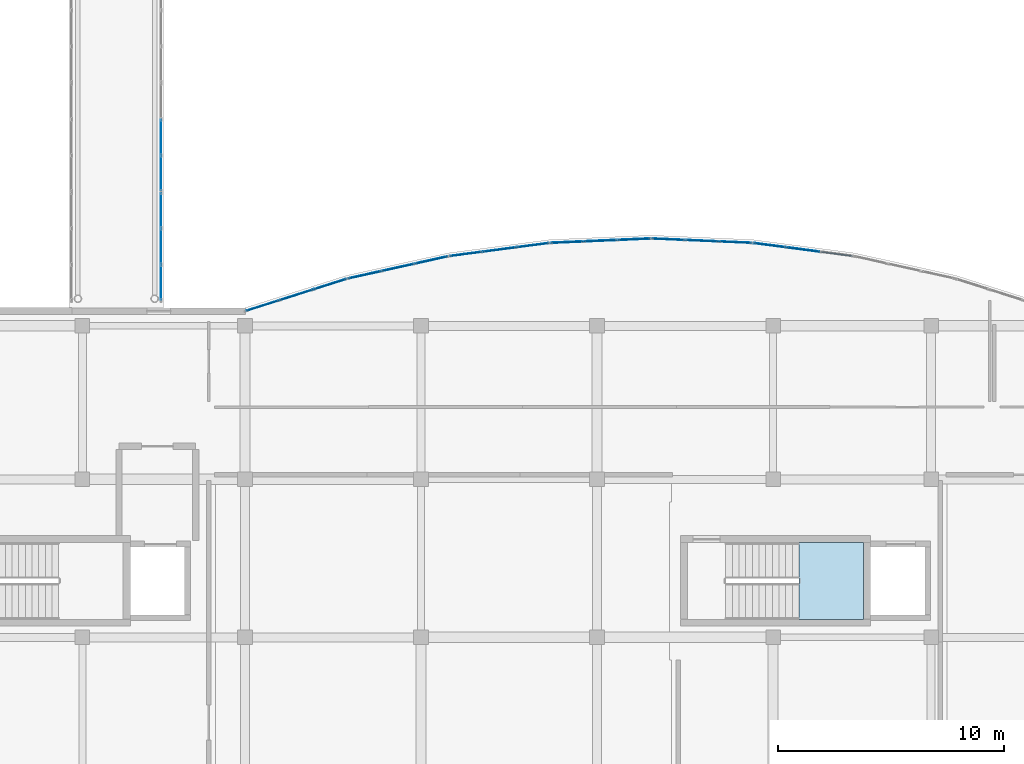
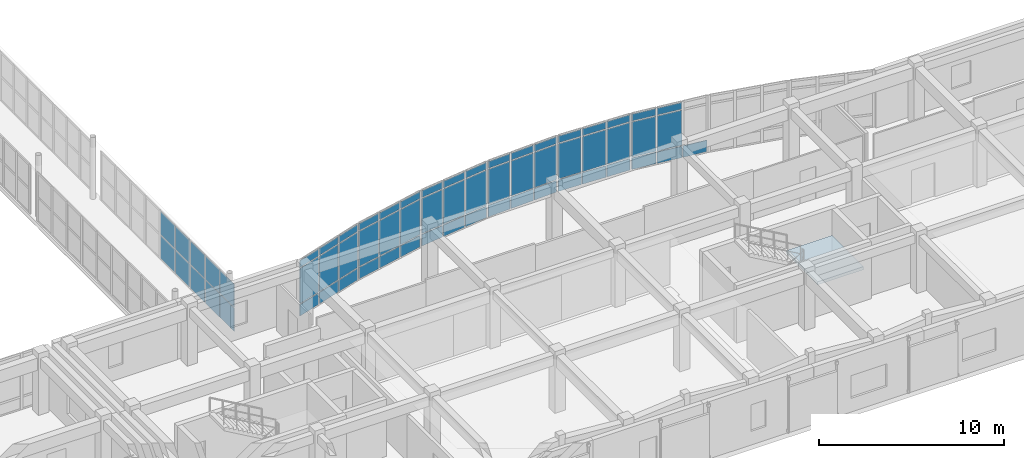
# One storey, part 114 of 146: 62 plates, 1 slab, 9 elements without a shape of their own.
"""IFC4 building model written with IfcOpenShell, lengths in metres."""

from ifc_helpers import new_model, si_unit, direction, frame, origin, origin_2d, place, context, subcontext, project, spatial, polyline, rectangle, outline, extrude, material, layer, layer_set, type_object, element, aggregate, save


model = new_model("IFC4")

# Units and contexts
model_context = context("Model", 3, precision=1e-05, world=origin(), true_north=direction((0.0, 1.0)))
body_context = subcontext(model_context, "Body", "Model", "MODEL_VIEW")
ifc_project = project(units=[si_unit("LENGTHUNIT", "METRE"), si_unit("AREAUNIT", "SQUARE_METRE"), si_unit("VOLUMEUNIT", "CUBIC_METRE"), si_unit("PLANEANGLEUNIT", "RADIAN"), si_unit("MASSUNIT", "GRAM", prefix="KILO")], contexts=[model_context])

# Site, building, storey
site_placement = place(None, origin())
site = spatial("IfcSite", under=ifc_project, at=site_placement, CompositionType="ELEMENT")
building_placement = place(site_placement, origin())
building = spatial("IfcBuilding", under=site, at=building_placement, Name="Valcora Specialist Clinic", CompositionType="ELEMENT")
storey_placement = place(building_placement, frame((0.0, 0.0, 9.52001953125)))
storey = spatial("IfcBuildingStorey", under=building, at=storey_placement, Name="L02", CompositionType="ELEMENT", Elevation=9.52001953125)

# Curtain wall, plates
ifc_material_1 = material(Name="Anodized Bronze Aluminium 6063-T6", Category="aluminium")
ifc_layer_1 = layer(ifc_material_1, 0.175048828125)
ifc_layer_set_1 = layer_set([ifc_layer_1], Name="Anodized Bronze Aluminium 6063-T6")
curtain_wall_type_1 = type_object("IfcCurtainWallType", Name="TY-CW-ARC40", PredefinedType="NOTDEFINED", material=ifc_layer_set_1)
curtain_wall_1_placement = place(storey_placement, origin())
curtain_wall_1 = element("IfcCurtainWall", 1, at=curtain_wall_1_placement, inside=storey, type_object=curtain_wall_type_1, Name="Curtain wall CW-L02-202", PredefinedType="NOTDEFINED")
ifc_material_2 = material(Name="Low-E Laminated Insulating Glass", Category="glass")
ifc_layer_2 = layer(ifc_material_2, 0.028076171875)
ifc_layer_set_2 = layer_set([ifc_layer_2], Name="Low-E Laminated Insulating Glass")
plate_type_1 = type_object("IfcPlateType", Name="TY-CWP-GLZ28", PredefinedType="CURTAIN_PANEL", material=ifc_layer_set_2)
plate_1_placement = place(storey_placement, frame((69.79150390625, 22.89453125, 0.882568359375), z_axis=(0.0, 0.0, 1.0), x_axis=(0.952916356972, 0.303233270958, 0.0)))
plate_1 = element("IfcPlate", 2, at=plate_1_placement, type_object=plate_type_1, Name="CW-ARC-40 panel 1.2", PredefinedType="CURTAIN_PANEL", context=body_context, shape_type="SweptSolid", body=[
    extrude(rectangle(XDim=1.482177734375, YDim=0.028076171875, at=origin_2d()), origin(), (0.0, 0.0, 1.0), 2.31494140625),
])
plate_2_placement = place(storey_placement, frame((69.79150390625, 22.89453125, 3.2626953125), z_axis=(0.0, 0.0, 1.0), x_axis=(0.952916356972, 0.303233270958, 0.0)))
plate_2 = element("IfcPlate", 3, at=plate_2_placement, type_object=plate_type_1, Name="CW-ARC-40 panel 1.3", PredefinedType="CURTAIN_PANEL", context=body_context, shape_type="SweptSolid", body=[
    extrude(rectangle(XDim=1.482177734375, YDim=0.028076171875, at=origin_2d()), origin(), (0.0, 0.0, 1.0), 0.452392578125),
])
plate_3_placement = place(storey_placement, frame((71.28125, 23.368408203125, 0.882568359375), z_axis=(0.0, 0.0, 1.0), x_axis=(0.952916356972, 0.303233270958, 0.0)))
plate_3 = element("IfcPlate", 4, at=plate_3_placement, type_object=plate_type_1, Name="CW-ARC-40 panel 2.2", PredefinedType="CURTAIN_PANEL", context=body_context, shape_type="SweptSolid", body=[
    extrude(rectangle(XDim=1.5146484375, YDim=0.028076171875, at=origin_2d()), origin(), (0.0, 0.0, 1.0), 2.31494140625),
])
plate_4_placement = place(storey_placement, frame((71.28125, 23.368408203125, 3.2626953125), z_axis=(0.0, 0.0, 1.0), x_axis=(0.952916356972, 0.303233270958, 0.0)))
plate_4 = element("IfcPlate", 5, at=plate_4_placement, type_object=plate_type_1, Name="CW-ARC-40 panel 2.3", PredefinedType="CURTAIN_PANEL", context=body_context, shape_type="SweptSolid", body=[
    extrude(rectangle(XDim=1.5146484375, YDim=0.028076171875, at=origin_2d()), origin(), (0.0, 0.0, 1.0), 0.452392578125),
])
plate_5_placement = place(storey_placement, frame((72.77099609375, 23.842529296875, 0.882568359375), z_axis=(0.0, 0.0, 1.0), x_axis=(0.952916356972, 0.303233270958, 0.0)))
plate_5 = element("IfcPlate", 6, at=plate_5_placement, type_object=plate_type_1, Name="CW-ARC-40 panel 3.2", PredefinedType="CURTAIN_PANEL", context=body_context, shape_type="SweptSolid", body=[
    extrude(rectangle(XDim=1.482177734375, YDim=0.028076171875, at=origin_2d()), origin(), (0.0, 0.0, 1.0), 2.31494140625),
])
plate_6_placement = place(storey_placement, frame((72.77099609375, 23.842529296875, 3.2626953125), z_axis=(0.0, 0.0, 1.0), x_axis=(0.952916356972, 0.303233270958, 0.0)))
plate_6 = element("IfcPlate", 7, at=plate_6_placement, type_object=plate_type_1, Name="CW-ARC-40 panel 3.3", PredefinedType="CURTAIN_PANEL", context=body_context, shape_type="SweptSolid", body=[
    extrude(rectangle(XDim=1.482177734375, YDim=0.028076171875, at=origin_2d()), origin(), (0.0, 0.0, 1.0), 0.452392578125),
])

curtain_wall_2_placement = place(storey_placement, origin())
curtain_wall_2 = element("IfcCurtainWall", 8, at=curtain_wall_2_placement, inside=storey, type_object=curtain_wall_type_1, Name="Curtain wall CW-L02-204", PredefinedType="NOTDEFINED")
plate_7_placement = place(storey_placement, frame((78.7900390625, 25.182373046875, 0.882568359375), z_axis=(0.0, 0.0, 1.0), x_axis=(0.991514060421, 0.129999492259, 0.0)))
plate_7 = element("IfcPlate", 9, at=plate_7_placement, type_object=plate_type_1, Name="CW-ARC-40 panel 1.2", PredefinedType="CURTAIN_PANEL", context=body_context, shape_type="SweptSolid", body=[
    extrude(rectangle(XDim=1.410888671875, YDim=0.028076171875, at=origin_2d()), origin(), (0.0, 0.0, 1.0), 2.31494140625),
])
plate_8_placement = place(storey_placement, frame((78.7900390625, 25.182373046875, 3.2626953125), z_axis=(0.0, 0.0, 1.0), x_axis=(0.991514060421, 0.129999492259, 0.0)))
plate_8 = element("IfcPlate", 10, at=plate_8_placement, type_object=plate_type_1, Name="CW-ARC-40 panel 1.3", PredefinedType="CURTAIN_PANEL", context=body_context, shape_type="SweptSolid", body=[
    extrude(rectangle(XDim=1.410888671875, YDim=0.028076171875, at=origin_2d()), origin(), (0.0, 0.0, 1.0), 0.452392578125),
])
plate_9_placement = place(storey_placement, frame((80.26953125, 25.376220703125, 0.882568359375), z_axis=(0.0, 0.0, 1.0), x_axis=(0.991514060421, 0.129999492259, 0.0)))
plate_9 = element("IfcPlate", 11, at=plate_9_placement, type_object=plate_type_1, Name="CW-ARC-40 panel 2.2", PredefinedType="CURTAIN_PANEL", context=body_context, shape_type="SweptSolid", body=[
    extrude(rectangle(XDim=1.443359375, YDim=0.028076171875, at=origin_2d()), origin(), (0.0, 0.0, 1.0), 2.31494140625),
])
plate_10_placement = place(storey_placement, frame((80.26953125, 25.376220703125, 3.2626953125), z_axis=(0.0, 0.0, 1.0), x_axis=(0.991514060421, 0.129999492259, 0.0)))
plate_10 = element("IfcPlate", 12, at=plate_10_placement, type_object=plate_type_1, Name="CW-ARC-40 panel 2.3", PredefinedType="CURTAIN_PANEL", context=body_context, shape_type="SweptSolid", body=[
    extrude(rectangle(XDim=1.443359375, YDim=0.028076171875, at=origin_2d()), origin(), (0.0, 0.0, 1.0), 0.452392578125),
])
plate_11_placement = place(storey_placement, frame((81.7490234375, 25.5703125, 0.882568359375), z_axis=(0.0, 0.0, 1.0), x_axis=(0.991514060421, 0.129999492259, 0.0)))
plate_11 = element("IfcPlate", 13, at=plate_11_placement, type_object=plate_type_1, Name="CW-ARC-40 panel 3.2", PredefinedType="CURTAIN_PANEL", context=body_context, shape_type="SweptSolid", body=[
    extrude(rectangle(XDim=1.410888671875, YDim=0.028076171875, at=origin_2d()), origin(), (0.0, 0.0, 1.0), 2.31494140625),
])
plate_12_placement = place(storey_placement, frame((81.7490234375, 25.5703125, 3.2626953125), z_axis=(0.0, 0.0, 1.0), x_axis=(0.991514060421, 0.129999492259, 0.0)))
plate_12 = element("IfcPlate", 14, at=plate_12_placement, type_object=plate_type_1, Name="CW-ARC-40 panel 3.3", PredefinedType="CURTAIN_PANEL", context=body_context, shape_type="SweptSolid", body=[
    extrude(rectangle(XDim=1.410888671875, YDim=0.028076171875, at=origin_2d()), origin(), (0.0, 0.0, 1.0), 0.452392578125),
])

curtain_wall_3_placement = place(storey_placement, origin())
curtain_wall_3 = element("IfcCurtainWall", 15, at=curtain_wall_3_placement, inside=storey, type_object=curtain_wall_type_1, Name="Curtain wall CW-L02-206", PredefinedType="NOTDEFINED")
plate_13_placement = place(storey_placement, frame((87.76416015625, 25.831787109375, 0.882568359375), z_axis=(0.0, 0.0, 1.0), x_axis=(0.999061821291, -0.043306780525, 0.0)))
plate_13 = element("IfcPlate", 16, at=plate_13_placement, type_object=plate_type_1, Name="CW-ARC-40 panel 1.2", PredefinedType="CURTAIN_PANEL", context=body_context, shape_type="SweptSolid", body=[
    extrude(rectangle(XDim=1.399658203125, YDim=0.028076171875, at=origin_2d()), origin(), (0.0, 0.0, 1.0), 2.31494140625),
])
plate_14_placement = place(storey_placement, frame((87.76416015625, 25.831787109375, 3.2626953125), z_axis=(0.0, 0.0, 1.0), x_axis=(0.999061821291, -0.043306780525, 0.0)))
plate_14 = element("IfcPlate", 17, at=plate_14_placement, type_object=plate_type_1, Name="CW-ARC-40 panel 1.3", PredefinedType="CURTAIN_PANEL", context=body_context, shape_type="SweptSolid", body=[
    extrude(rectangle(XDim=1.399658203125, YDim=0.028076171875, at=origin_2d()), origin(), (0.0, 0.0, 1.0), 0.452392578125),
])
plate_15_placement = place(storey_placement, frame((89.243408203125, 25.767578125, 0.882568359375), z_axis=(0.0, 0.0, 1.0), x_axis=(0.999061821291, -0.043306780525, 0.0)))
plate_15 = element("IfcPlate", 18, at=plate_15_placement, type_object=plate_type_1, Name="CW-ARC-40 panel 2.2", PredefinedType="CURTAIN_PANEL", context=body_context, shape_type="SweptSolid", body=[
    extrude(rectangle(XDim=1.43212890625, YDim=0.028076171875, at=origin_2d()), origin(), (0.0, 0.0, 1.0), 2.31494140625),
])
plate_16_placement = place(storey_placement, frame((89.243408203125, 25.767578125, 3.2626953125), z_axis=(0.0, 0.0, 1.0), x_axis=(0.999061821291, -0.043306780525, 0.0)))
plate_16 = element("IfcPlate", 19, at=plate_16_placement, type_object=plate_type_1, Name="CW-ARC-40 panel 2.3", PredefinedType="CURTAIN_PANEL", context=body_context, shape_type="SweptSolid", body=[
    extrude(rectangle(XDim=1.43212890625, YDim=0.028076171875, at=origin_2d()), origin(), (0.0, 0.0, 1.0), 0.452392578125),
])
plate_17_placement = place(storey_placement, frame((90.722900390625, 25.70361328125, 0.882568359375), z_axis=(0.0, 0.0, 1.0), x_axis=(0.999061821291, -0.043306780525, 0.0)))
plate_17 = element("IfcPlate", 20, at=plate_17_placement, type_object=plate_type_1, Name="CW-ARC-40 panel 3.2", PredefinedType="CURTAIN_PANEL", context=body_context, shape_type="SweptSolid", body=[
    extrude(rectangle(XDim=1.399658203125, YDim=0.028076171875, at=origin_2d()), origin(), (0.0, 0.0, 1.0), 2.31494140625),
])
plate_18_placement = place(storey_placement, frame((90.722900390625, 25.70361328125, 3.2626953125), z_axis=(0.0, 0.0, 1.0), x_axis=(0.999061821291, -0.043306780525, 0.0)))
plate_18 = element("IfcPlate", 21, at=plate_18_placement, type_object=plate_type_1, Name="CW-ARC-40 panel 3.3", PredefinedType="CURTAIN_PANEL", context=body_context, shape_type="SweptSolid", body=[
    extrude(rectangle(XDim=1.399658203125, YDim=0.028076171875, at=origin_2d()), origin(), (0.0, 0.0, 1.0), 0.452392578125),
])

ifc_layer_3 = layer(ifc_material_1, 0.175048828125)
ifc_layer_set_3 = layer_set([ifc_layer_3], Name="Anodized Bronze Aluminium 6063-T6")
curtain_wall_type_2 = type_object("IfcCurtainWallType", Name="TY-CW-BRG14", PredefinedType="NOTDEFINED", material=ifc_layer_set_3)
curtain_wall_4_placement = place(storey_placement, origin())
curtain_wall_4 = element("IfcCurtainWall", 22, at=curtain_wall_4_placement, inside=storey, type_object=curtain_wall_type_2, Name="Curtain wall CW-L02-258", PredefinedType="NOTDEFINED")
plate_19_placement = place(storey_placement, frame((65.280029296875, 23.921875, 0.06494140625), z_axis=(0.0, 0.0, 1.0), x_axis=(0.0, 1.0, 0.0)))
plate_19 = element("IfcPlate", 23, at=plate_19_placement, type_object=plate_type_1, Name="CW-BRG-14 panel 1.1", PredefinedType="CURTAIN_PANEL", context=body_context, shape_type="SweptSolid", body=[
    extrude(rectangle(XDim=1.513671875, YDim=0.028076171875, at=origin_2d()), origin(), (0.0, 0.0, 1.0), 1.5224609375),
])
plate_20_placement = place(storey_placement, frame((65.280029296875, 23.921875, 1.652587890625), z_axis=(0.0, 0.0, 1.0), x_axis=(0.0, 1.0, 0.0)))
plate_20 = element("IfcPlate", 24, at=plate_20_placement, type_object=plate_type_1, Name="CW-BRG-14 panel 1.2", PredefinedType="CURTAIN_PANEL", context=body_context, shape_type="SweptSolid", body=[
    extrude(rectangle(XDim=1.513671875, YDim=0.028076171875, at=origin_2d()), origin(), (0.0, 0.0, 1.0), 1.5224609375),
])
plate_21_placement = place(storey_placement, frame((65.280029296875, 25.5166015625, 0.06494140625), z_axis=(0.0, 0.0, 1.0), x_axis=(0.0, 1.0, 0.0)))
plate_21 = element("IfcPlate", 25, at=plate_21_placement, type_object=plate_type_1, Name="CW-BRG-14 panel 2.1", PredefinedType="CURTAIN_PANEL", context=body_context, shape_type="SweptSolid", body=[
    extrude(rectangle(XDim=1.546142578125, YDim=0.028076171875, at=origin_2d()), origin(), (0.0, 0.0, 1.0), 1.5224609375),
])
plate_22_placement = place(storey_placement, frame((65.280029296875, 25.5166015625, 1.652587890625), z_axis=(0.0, 0.0, 1.0), x_axis=(0.0, 1.0, 0.0)))
plate_22 = element("IfcPlate", 26, at=plate_22_placement, type_object=plate_type_1, Name="CW-BRG-14 panel 2.2", PredefinedType="CURTAIN_PANEL", context=body_context, shape_type="SweptSolid", body=[
    extrude(rectangle(XDim=1.546142578125, YDim=0.028076171875, at=origin_2d()), origin(), (0.0, 0.0, 1.0), 1.5224609375),
])
plate_23_placement = place(storey_placement, frame((65.280029296875, 27.111572265625, 0.06494140625), z_axis=(0.0, 0.0, 1.0), x_axis=(0.0, 1.0, 0.0)))
plate_23 = element("IfcPlate", 27, at=plate_23_placement, type_object=plate_type_1, Name="CW-BRG-14 panel 3.1", PredefinedType="CURTAIN_PANEL", context=body_context, shape_type="SweptSolid", body=[
    extrude(rectangle(XDim=1.513671875, YDim=0.028076171875, at=origin_2d()), origin(), (0.0, 0.0, 1.0), 1.5224609375),
])
plate_24_placement = place(storey_placement, frame((65.280029296875, 27.111572265625, 1.652587890625), z_axis=(0.0, 0.0, 1.0), x_axis=(0.0, 1.0, 0.0)))
plate_24 = element("IfcPlate", 28, at=plate_24_placement, type_object=plate_type_1, Name="CW-BRG-14 panel 3.2", PredefinedType="CURTAIN_PANEL", context=body_context, shape_type="SweptSolid", body=[
    extrude(rectangle(XDim=1.513671875, YDim=0.028076171875, at=origin_2d()), origin(), (0.0, 0.0, 1.0), 1.5224609375),
])
aggregate(curtain_wall_4, [plate_19, plate_20, plate_21, plate_22, plate_23, plate_24])

curtain_wall_5_placement = place(storey_placement, origin())
curtain_wall_5 = element("IfcCurtainWall", 29, at=curtain_wall_5_placement, inside=storey, type_object=curtain_wall_type_1, Name="Curtain wall CW-L02-203", PredefinedType="NOTDEFINED")
ifc_layer_4 = layer(ifc_material_2, 0.033935546875)
ifc_layer_set_4 = layer_set([ifc_layer_4], Name="Low-E Laminated Insulating Glass")
plate_type_2 = type_object("IfcPlateType", Name="TY-CWP-GLZ34", PredefinedType="CURTAIN_PANEL", material=ifc_layer_set_4)
plate_25_placement = place(storey_placement, frame((74.302734375, 24.25634765625, 0.882568359375), z_axis=(0.0, 0.0, 1.0), x_axis=(0.976278614432, 0.216518052372, 0.0)))
plate_25 = element("IfcPlate", 30, at=plate_25_placement, type_object=plate_type_2, Name="CW-ARC-40 panel 1.2", PredefinedType="CURTAIN_PANEL", context=body_context, shape_type="SweptSolid", body=[
    extrude(rectangle(XDim=1.4345703125, YDim=0.033935546875, at=origin_2d()), origin(), (0.0, 0.0, 1.0), 2.31494140625),
])
plate_26_placement = place(storey_placement, frame((74.302734375, 24.25634765625, 3.2626953125), z_axis=(0.0, 0.0, 1.0), x_axis=(0.976278614432, 0.216518052372, 0.0)))
plate_26 = element("IfcPlate", 31, at=plate_26_placement, type_object=plate_type_2, Name="CW-ARC-40 panel 1.3", PredefinedType="CURTAIN_PANEL", context=body_context, shape_type="SweptSolid", body=[
    extrude(rectangle(XDim=1.4345703125, YDim=0.033935546875, at=origin_2d()), origin(), (0.0, 0.0, 1.0), 0.452392578125),
])
plate_27_placement = place(storey_placement, frame((75.782470703125, 24.58447265625, 0.882568359375), z_axis=(0.0, 0.0, 1.0), x_axis=(0.976278614432, 0.216518052372, 0.0)))
plate_27 = element("IfcPlate", 32, at=plate_27_placement, type_object=plate_type_2, Name="CW-ARC-40 panel 2.2", PredefinedType="CURTAIN_PANEL", context=body_context, shape_type="SweptSolid", body=[
    extrude(rectangle(XDim=1.467041015625, YDim=0.033935546875, at=origin_2d()), origin(), (0.0, 0.0, 1.0), 2.31494140625),
])
plate_28_placement = place(storey_placement, frame((75.782470703125, 24.58447265625, 3.2626953125), z_axis=(0.0, 0.0, 1.0), x_axis=(0.976278614432, 0.216518052372, 0.0)))
plate_28 = element("IfcPlate", 33, at=plate_28_placement, type_object=plate_type_2, Name="CW-ARC-40 panel 2.3", PredefinedType="CURTAIN_PANEL", context=body_context, shape_type="SweptSolid", body=[
    extrude(rectangle(XDim=1.467041015625, YDim=0.033935546875, at=origin_2d()), origin(), (0.0, 0.0, 1.0), 0.452392578125),
])
plate_29_placement = place(storey_placement, frame((77.26220703125, 24.912841796875, 0.882568359375), z_axis=(0.0, 0.0, 1.0), x_axis=(0.976278614432, 0.216518052372, 0.0)))
plate_29 = element("IfcPlate", 34, at=plate_29_placement, type_object=plate_type_2, Name="CW-ARC-40 panel 3.2", PredefinedType="CURTAIN_PANEL", context=body_context, shape_type="SweptSolid", body=[
    extrude(rectangle(XDim=1.4345703125, YDim=0.033935546875, at=origin_2d()), origin(), (0.0, 0.0, 1.0), 2.31494140625),
])
plate_30_placement = place(storey_placement, frame((77.26220703125, 24.912841796875, 3.2626953125), z_axis=(0.0, 0.0, 1.0), x_axis=(0.976278614432, 0.216518052372, 0.0)))
plate_30 = element("IfcPlate", 35, at=plate_30_placement, type_object=plate_type_2, Name="CW-ARC-40 panel 3.3", PredefinedType="CURTAIN_PANEL", context=body_context, shape_type="SweptSolid", body=[
    extrude(rectangle(XDim=1.4345703125, YDim=0.033935546875, at=origin_2d()), origin(), (0.0, 0.0, 1.0), 0.452392578125),
])

curtain_wall_6_placement = place(storey_placement, origin())
curtain_wall_6 = element("IfcCurtainWall", 36, at=curtain_wall_6_placement, inside=storey, type_object=curtain_wall_type_1, Name="Curtain wall CW-L02-205", PredefinedType="NOTDEFINED")
plate_31_placement = place(storey_placement, frame((83.277099609375, 25.70361328125, 0.882568359375), z_axis=(0.0, 0.0, 1.0), x_axis=(0.999061821291, 0.043306780525, 0.0)))
plate_31 = element("IfcPlate", 37, at=plate_31_placement, type_object=plate_type_2, Name="CW-ARC-40 panel 1.2", PredefinedType="CURTAIN_PANEL", context=body_context, shape_type="SweptSolid", body=[
    extrude(rectangle(XDim=1.399658203125, YDim=0.033935546875, at=origin_2d()), origin(), (0.0, 0.0, 1.0), 2.31494140625),
])
plate_32_placement = place(storey_placement, frame((83.277099609375, 25.70361328125, 3.2626953125), z_axis=(0.0, 0.0, 1.0), x_axis=(0.999061821291, 0.043306780525, 0.0)))
plate_32 = element("IfcPlate", 38, at=plate_32_placement, type_object=plate_type_2, Name="CW-ARC-40 panel 1.3", PredefinedType="CURTAIN_PANEL", context=body_context, shape_type="SweptSolid", body=[
    extrude(rectangle(XDim=1.399658203125, YDim=0.033935546875, at=origin_2d()), origin(), (0.0, 0.0, 1.0), 0.452392578125),
])
plate_33_placement = place(storey_placement, frame((84.756591796875, 25.767578125, 0.882568359375), z_axis=(0.0, 0.0, 1.0), x_axis=(0.999061821291, 0.043306780525, 0.0)))
plate_33 = element("IfcPlate", 39, at=plate_33_placement, type_object=plate_type_2, Name="CW-ARC-40 panel 2.2", PredefinedType="CURTAIN_PANEL", context=body_context, shape_type="SweptSolid", body=[
    extrude(rectangle(XDim=1.43212890625, YDim=0.033935546875, at=origin_2d()), origin(), (0.0, 0.0, 1.0), 2.31494140625),
])
plate_34_placement = place(storey_placement, frame((84.756591796875, 25.767578125, 3.2626953125), z_axis=(0.0, 0.0, 1.0), x_axis=(0.999061821291, 0.043306780525, 0.0)))
plate_34 = element("IfcPlate", 40, at=plate_34_placement, type_object=plate_type_2, Name="CW-ARC-40 panel 2.3", PredefinedType="CURTAIN_PANEL", context=body_context, shape_type="SweptSolid", body=[
    extrude(rectangle(XDim=1.43212890625, YDim=0.033935546875, at=origin_2d()), origin(), (0.0, 0.0, 1.0), 0.452392578125),
])
plate_35_placement = place(storey_placement, frame((86.23583984375, 25.831787109375, 0.882568359375), z_axis=(0.0, 0.0, 1.0), x_axis=(0.999061821291, 0.043306780525, 0.0)))
plate_35 = element("IfcPlate", 41, at=plate_35_placement, type_object=plate_type_2, Name="CW-ARC-40 panel 3.2", PredefinedType="CURTAIN_PANEL", context=body_context, shape_type="SweptSolid", body=[
    extrude(rectangle(XDim=1.399658203125, YDim=0.033935546875, at=origin_2d()), origin(), (0.0, 0.0, 1.0), 2.31494140625),
])
plate_36_placement = place(storey_placement, frame((86.23583984375, 25.831787109375, 3.2626953125), z_axis=(0.0, 0.0, 1.0), x_axis=(0.999061821291, 0.043306780525, 0.0)))
plate_36 = element("IfcPlate", 42, at=plate_36_placement, type_object=plate_type_2, Name="CW-ARC-40 panel 3.3", PredefinedType="CURTAIN_PANEL", context=body_context, shape_type="SweptSolid", body=[
    extrude(rectangle(XDim=1.399658203125, YDim=0.033935546875, at=origin_2d()), origin(), (0.0, 0.0, 1.0), 0.452392578125),
])

curtain_wall_7_placement = place(storey_placement, origin())
curtain_wall_7 = element("IfcCurtainWall", 43, at=curtain_wall_7_placement, inside=storey, type_object=curtain_wall_type_1, Name="Curtain wall CW-L02-207", PredefinedType="NOTDEFINED")
plate_37_placement = place(storey_placement, frame((92.2509765625, 25.5703125, 0.882568359375), z_axis=(0.0, 0.0, 1.0), x_axis=(0.991514060421, -0.129999492259, 0.0)))
plate_37 = element("IfcPlate", 44, at=plate_37_placement, type_object=plate_type_2, Name="CW-ARC-40 panel 1.2", PredefinedType="CURTAIN_PANEL", context=body_context, shape_type="SweptSolid", body=[
    extrude(rectangle(XDim=1.410888671875, YDim=0.033935546875, at=origin_2d()), origin(), (0.0, 0.0, 1.0), 2.31494140625),
])
plate_38_placement = place(storey_placement, frame((92.2509765625, 25.5703125, 3.2626953125), z_axis=(0.0, 0.0, 1.0), x_axis=(0.991514060421, -0.129999492259, 0.0)))
plate_38 = element("IfcPlate", 45, at=plate_38_placement, type_object=plate_type_2, Name="CW-ARC-40 panel 1.3", PredefinedType="CURTAIN_PANEL", context=body_context, shape_type="SweptSolid", body=[
    extrude(rectangle(XDim=1.410888671875, YDim=0.033935546875, at=origin_2d()), origin(), (0.0, 0.0, 1.0), 0.452392578125),
])
plate_39_placement = place(storey_placement, frame((93.73046875, 25.376220703125, 0.882568359375), z_axis=(0.0, 0.0, 1.0), x_axis=(0.991514060421, -0.129999492259, 0.0)))
plate_39 = element("IfcPlate", 46, at=plate_39_placement, type_object=plate_type_2, Name="CW-ARC-40 panel 2.2", PredefinedType="CURTAIN_PANEL", context=body_context, shape_type="SweptSolid", body=[
    extrude(rectangle(XDim=1.443359375, YDim=0.033935546875, at=origin_2d()), origin(), (0.0, 0.0, 1.0), 2.31494140625),
])
plate_40_placement = place(storey_placement, frame((93.73046875, 25.376220703125, 3.2626953125), z_axis=(0.0, 0.0, 1.0), x_axis=(0.991514060421, -0.129999492259, 0.0)))
plate_40 = element("IfcPlate", 47, at=plate_40_placement, type_object=plate_type_2, Name="CW-ARC-40 panel 2.3", PredefinedType="CURTAIN_PANEL", context=body_context, shape_type="SweptSolid", body=[
    extrude(rectangle(XDim=1.443359375, YDim=0.033935546875, at=origin_2d()), origin(), (0.0, 0.0, 1.0), 0.452392578125),
])

curtain_wall_8_placement = place(storey_placement, origin())
curtain_wall_8 = element("IfcCurtainWall", 48, at=curtain_wall_8_placement, inside=storey, type_object=curtain_wall_type_2, Name="Curtain wall CW-L02-259", PredefinedType="NOTDEFINED")
plate_41_placement = place(storey_placement, frame((65.280029296875, 28.755126953125, 0.06494140625), z_axis=(0.0, 0.0, 1.0), x_axis=(0.0, 1.0, 0.0)))
plate_41 = element("IfcPlate", 49, at=plate_41_placement, type_object=plate_type_2, Name="CW-BRG-14 panel 1.1", PredefinedType="CURTAIN_PANEL", context=body_context, shape_type="SweptSolid", body=[
    extrude(rectangle(XDim=1.513671875, YDim=0.033935546875, at=origin_2d()), origin(), (0.0, 0.0, 1.0), 1.5224609375),
])
plate_42_placement = place(storey_placement, frame((65.280029296875, 28.755126953125, 1.652587890625), z_axis=(0.0, 0.0, 1.0), x_axis=(0.0, 1.0, 0.0)))
plate_42 = element("IfcPlate", 50, at=plate_42_placement, type_object=plate_type_2, Name="CW-BRG-14 panel 1.2", PredefinedType="CURTAIN_PANEL", context=body_context, shape_type="SweptSolid", body=[
    extrude(rectangle(XDim=1.513671875, YDim=0.033935546875, at=origin_2d()), origin(), (0.0, 0.0, 1.0), 1.5224609375),
])
plate_43_placement = place(storey_placement, frame((65.280029296875, 30.35009765625, 0.06494140625), z_axis=(0.0, 0.0, 1.0), x_axis=(0.0, 1.0, 0.0)))
plate_43 = element("IfcPlate", 51, at=plate_43_placement, type_object=plate_type_2, Name="CW-BRG-14 panel 2.1", PredefinedType="CURTAIN_PANEL", context=body_context, shape_type="SweptSolid", body=[
    extrude(rectangle(XDim=1.546142578125, YDim=0.033935546875, at=origin_2d()), origin(), (0.0, 0.0, 1.0), 1.5224609375),
])
plate_44_placement = place(storey_placement, frame((65.280029296875, 30.35009765625, 1.652587890625), z_axis=(0.0, 0.0, 1.0), x_axis=(0.0, 1.0, 0.0)))
plate_44 = element("IfcPlate", 52, at=plate_44_placement, type_object=plate_type_2, Name="CW-BRG-14 panel 2.2", PredefinedType="CURTAIN_PANEL", context=body_context, shape_type="SweptSolid", body=[
    extrude(rectangle(XDim=1.546142578125, YDim=0.033935546875, at=origin_2d()), origin(), (0.0, 0.0, 1.0), 1.5224609375),
])
aggregate(curtain_wall_8, [plate_41, plate_42, plate_43, plate_44])

# Plate
ifc_material_3 = material(Name="Insulated Spandrel Panel")
ifc_layer_5 = layer(ifc_material_3, 0.044921875)
ifc_layer_set_5 = layer_set([ifc_layer_5], Name="Insulated Spandrel Panel")
plate_type_3 = type_object("IfcPlateType", Name="TY-CWP-SPN45", PredefinedType="SHEET", material=ifc_layer_set_5)
plate_45_placement = place(storey_placement, frame((69.79150390625, 22.89453125, 0.06494140625), z_axis=(0.0, 0.0, 1.0), x_axis=(0.952916356972, 0.303233270958, 0.0)))
plate_45 = element("IfcPlate", 53, at=plate_45_placement, type_object=plate_type_3, Name="CW-ARC-40 panel 1.1", PredefinedType="SHEET", context=body_context, shape_type="SweptSolid", body=[
    extrude(rectangle(XDim=1.482177734375, YDim=0.044921875, at=origin_2d()), origin(), (0.0, 0.0, 1.0), 0.75244140625),
])

plate_46_placement = place(storey_placement, frame((71.28125, 23.368408203125, 0.06494140625), z_axis=(0.0, 0.0, 1.0), x_axis=(0.952916356972, 0.303233270958, 0.0)))
plate_46 = element("IfcPlate", 54, at=plate_46_placement, type_object=plate_type_3, Name="CW-ARC-40 panel 2.1", PredefinedType="SHEET", context=body_context, shape_type="SweptSolid", body=[
    extrude(rectangle(XDim=1.5146484375, YDim=0.044921875, at=origin_2d()), origin(), (0.0, 0.0, 1.0), 0.75244140625),
])

plate_47_placement = place(storey_placement, frame((72.77099609375, 23.842529296875, 0.06494140625), z_axis=(0.0, 0.0, 1.0), x_axis=(0.952916356972, 0.303233270958, 0.0)))
plate_47 = element("IfcPlate", 55, at=plate_47_placement, type_object=plate_type_3, Name="CW-ARC-40 panel 3.1", PredefinedType="SHEET", context=body_context, shape_type="SweptSolid", body=[
    extrude(rectangle(XDim=1.482177734375, YDim=0.044921875, at=origin_2d()), origin(), (0.0, 0.0, 1.0), 0.75244140625),
])

aggregate(curtain_wall_1, [plate_45, plate_1, plate_2, plate_46, plate_3, plate_4, plate_47, plate_5, plate_6])

plate_48_placement = place(storey_placement, frame((74.302734375, 24.25634765625, 0.06494140625), z_axis=(0.0, 0.0, 1.0), x_axis=(0.976278614432, 0.216518052372, 0.0)))
plate_48 = element("IfcPlate", 56, at=plate_48_placement, type_object=plate_type_3, Name="CW-ARC-40 panel 1.1", PredefinedType="SHEET", context=body_context, shape_type="SweptSolid", body=[
    extrude(rectangle(XDim=1.4345703125, YDim=0.044921875, at=origin_2d()), origin(), (0.0, 0.0, 1.0), 0.75244140625),
])

plate_49_placement = place(storey_placement, frame((75.782470703125, 24.58447265625, 0.06494140625), z_axis=(0.0, 0.0, 1.0), x_axis=(0.976278614432, 0.216518052372, 0.0)))
plate_49 = element("IfcPlate", 57, at=plate_49_placement, type_object=plate_type_3, Name="CW-ARC-40 panel 2.1", PredefinedType="SHEET", context=body_context, shape_type="SweptSolid", body=[
    extrude(rectangle(XDim=1.467041015625, YDim=0.044921875, at=origin_2d()), origin(), (0.0, 0.0, 1.0), 0.75244140625),
])

plate_50_placement = place(storey_placement, frame((77.26220703125, 24.912841796875, 0.06494140625), z_axis=(0.0, 0.0, 1.0), x_axis=(0.976278614432, 0.216518052372, 0.0)))
plate_50 = element("IfcPlate", 58, at=plate_50_placement, type_object=plate_type_3, Name="CW-ARC-40 panel 3.1", PredefinedType="SHEET", context=body_context, shape_type="SweptSolid", body=[
    extrude(rectangle(XDim=1.4345703125, YDim=0.044921875, at=origin_2d()), origin(), (0.0, 0.0, 1.0), 0.75244140625),
])

aggregate(curtain_wall_5, [plate_48, plate_25, plate_26, plate_49, plate_27, plate_28, plate_50, plate_29, plate_30])

plate_51_placement = place(storey_placement, frame((78.7900390625, 25.182373046875, 0.06494140625), z_axis=(0.0, 0.0, 1.0), x_axis=(0.991514060421, 0.129999492259, 0.0)))
plate_51 = element("IfcPlate", 59, at=plate_51_placement, type_object=plate_type_3, Name="CW-ARC-40 panel 1.1", PredefinedType="SHEET", context=body_context, shape_type="SweptSolid", body=[
    extrude(rectangle(XDim=1.410888671875, YDim=0.044921875, at=origin_2d()), origin(), (0.0, 0.0, 1.0), 0.75244140625),
])

plate_52_placement = place(storey_placement, frame((80.26953125, 25.376220703125, 0.06494140625), z_axis=(0.0, 0.0, 1.0), x_axis=(0.991514060421, 0.129999492259, 0.0)))
plate_52 = element("IfcPlate", 60, at=plate_52_placement, type_object=plate_type_3, Name="CW-ARC-40 panel 2.1", PredefinedType="SHEET", context=body_context, shape_type="SweptSolid", body=[
    extrude(rectangle(XDim=1.443359375, YDim=0.044921875, at=origin_2d()), origin(), (0.0, 0.0, 1.0), 0.75244140625),
])

plate_53_placement = place(storey_placement, frame((81.7490234375, 25.5703125, 0.06494140625), z_axis=(0.0, 0.0, 1.0), x_axis=(0.991514060421, 0.129999492259, 0.0)))
plate_53 = element("IfcPlate", 61, at=plate_53_placement, type_object=plate_type_3, Name="CW-ARC-40 panel 3.1", PredefinedType="SHEET", context=body_context, shape_type="SweptSolid", body=[
    extrude(rectangle(XDim=1.410888671875, YDim=0.044921875, at=origin_2d()), origin(), (0.0, 0.0, 1.0), 0.75244140625),
])

aggregate(curtain_wall_2, [plate_51, plate_7, plate_8, plate_52, plate_9, plate_10, plate_53, plate_11, plate_12])

plate_54_placement = place(storey_placement, frame((83.277099609375, 25.70361328125, 0.06494140625), z_axis=(0.0, 0.0, 1.0), x_axis=(0.999061821291, 0.043306780525, 0.0)))
plate_54 = element("IfcPlate", 62, at=plate_54_placement, type_object=plate_type_3, Name="CW-ARC-40 panel 1.1", PredefinedType="SHEET", context=body_context, shape_type="SweptSolid", body=[
    extrude(rectangle(XDim=1.399658203125, YDim=0.044921875, at=origin_2d()), origin(), (0.0, 0.0, 1.0), 0.75244140625),
])

plate_55_placement = place(storey_placement, frame((84.756591796875, 25.767578125, 0.06494140625), z_axis=(0.0, 0.0, 1.0), x_axis=(0.999061821291, 0.043306780525, 0.0)))
plate_55 = element("IfcPlate", 63, at=plate_55_placement, type_object=plate_type_3, Name="CW-ARC-40 panel 2.1", PredefinedType="SHEET", context=body_context, shape_type="SweptSolid", body=[
    extrude(rectangle(XDim=1.43212890625, YDim=0.044921875, at=origin_2d()), origin(), (0.0, 0.0, 1.0), 0.75244140625),
])

plate_56_placement = place(storey_placement, frame((86.23583984375, 25.831787109375, 0.06494140625), z_axis=(0.0, 0.0, 1.0), x_axis=(0.999061821291, 0.043306780525, 0.0)))
plate_56 = element("IfcPlate", 64, at=plate_56_placement, type_object=plate_type_3, Name="CW-ARC-40 panel 3.1", PredefinedType="SHEET", context=body_context, shape_type="SweptSolid", body=[
    extrude(rectangle(XDim=1.399658203125, YDim=0.044921875, at=origin_2d()), origin(), (0.0, 0.0, 1.0), 0.75244140625),
])

aggregate(curtain_wall_6, [plate_54, plate_31, plate_32, plate_55, plate_33, plate_34, plate_56, plate_35, plate_36])

plate_57_placement = place(storey_placement, frame((87.76416015625, 25.831787109375, 0.06494140625), z_axis=(0.0, 0.0, 1.0), x_axis=(0.999061821291, -0.043306780525, 0.0)))
plate_57 = element("IfcPlate", 65, at=plate_57_placement, type_object=plate_type_3, Name="CW-ARC-40 panel 1.1", PredefinedType="SHEET", context=body_context, shape_type="SweptSolid", body=[
    extrude(rectangle(XDim=1.399658203125, YDim=0.044921875, at=origin_2d()), origin(), (0.0, 0.0, 1.0), 0.75244140625),
])

plate_58_placement = place(storey_placement, frame((89.243408203125, 25.767578125, 0.06494140625), z_axis=(0.0, 0.0, 1.0), x_axis=(0.999061821291, -0.043306780525, 0.0)))
plate_58 = element("IfcPlate", 66, at=plate_58_placement, type_object=plate_type_3, Name="CW-ARC-40 panel 2.1", PredefinedType="SHEET", context=body_context, shape_type="SweptSolid", body=[
    extrude(rectangle(XDim=1.43212890625, YDim=0.044921875, at=origin_2d()), origin(), (0.0, 0.0, 1.0), 0.75244140625),
])

plate_59_placement = place(storey_placement, frame((90.722900390625, 25.70361328125, 0.06494140625), z_axis=(0.0, 0.0, 1.0), x_axis=(0.999061821291, -0.043306780525, 0.0)))
plate_59 = element("IfcPlate", 67, at=plate_59_placement, type_object=plate_type_3, Name="CW-ARC-40 panel 3.1", PredefinedType="SHEET", context=body_context, shape_type="SweptSolid", body=[
    extrude(rectangle(XDim=1.399658203125, YDim=0.044921875, at=origin_2d()), origin(), (0.0, 0.0, 1.0), 0.75244140625),
])

aggregate(curtain_wall_3, [plate_57, plate_13, plate_14, plate_58, plate_15, plate_16, plate_59, plate_17, plate_18])

plate_60_placement = place(storey_placement, frame((92.2509765625, 25.5703125, 0.06494140625), z_axis=(0.0, 0.0, 1.0), x_axis=(0.991514060421, -0.129999492259, 0.0)))
plate_60 = element("IfcPlate", 68, at=plate_60_placement, type_object=plate_type_3, Name="CW-ARC-40 panel 1.1", PredefinedType="SHEET", context=body_context, shape_type="SweptSolid", body=[
    extrude(rectangle(XDim=1.410888671875, YDim=0.044921875, at=origin_2d()), origin(), (0.0, 0.0, 1.0), 0.75244140625),
])

plate_61_placement = place(storey_placement, frame((93.73046875, 25.376220703125, 0.06494140625), z_axis=(0.0, 0.0, 1.0), x_axis=(0.991514060421, -0.129999492259, 0.0)))
plate_61 = element("IfcPlate", 69, at=plate_61_placement, type_object=plate_type_3, Name="CW-ARC-40 panel 2.1", PredefinedType="SHEET", context=body_context, shape_type="SweptSolid", body=[
    extrude(rectangle(XDim=1.443359375, YDim=0.044921875, at=origin_2d()), origin(), (0.0, 0.0, 1.0), 0.75244140625),
])

plate_62_placement = place(storey_placement, frame((95.2099609375, 25.182373046875, 0.06494140625), z_axis=(0.0, 0.0, 1.0), x_axis=(0.991514060421, -0.129999492259, 0.0)))
plate_62 = element("IfcPlate", 70, at=plate_62_placement, type_object=plate_type_3, Name="CW-ARC-40 panel 3.1", PredefinedType="SHEET", context=body_context, shape_type="SweptSolid", body=[
    extrude(rectangle(XDim=1.410888671875, YDim=0.044921875, at=origin_2d()), origin(), (0.0, 0.0, 1.0), 0.75244140625),
])

aggregate(curtain_wall_7, [plate_60, plate_37, plate_38, plate_61, plate_39, plate_40, plate_62])

# Stair, slab
ifc_material_4 = material(Name="Concrete C40/50", Category="concrete")
stair_type = type_object("IfcStairType", Name="TY-ST-DG408", PredefinedType="HALF_TURN_STAIR", material=ifc_material_4)
stair_placement = place(storey_placement, origin())
stair = element("IfcStair", 71, at=stair_placement, inside=storey, type_object=stair_type, Name="L02 Core C-V6B stair ST-V6B", PredefinedType="HALF_TURN_STAIR")
ifc_layer_6 = layer(ifc_material_4, 0.199951171875)
ifc_layer_set_6 = layer_set([ifc_layer_6], Name="Concrete C40/50")
slab_type = type_object("IfcSlabType", Name="TY-SL-LND200", PredefinedType="LANDING", material=ifc_layer_set_6)
slab_placement = place(storey_placement, frame((0.0, 0.0, 1.840087890625)))
slab = element("IfcSlab", 72, at=slab_placement, type_object=slab_type, Name="ST-V6B landing 1", PredefinedType="LANDING", context=body_context, shape_type="SweptSolid", body=[
    extrude(outline(polyline([(93.544921875, 9.0), (96.39990234375, 9.0), (96.39990234375, 12.39990234375), (93.544921875, 12.39990234375), (93.544921875, 9.0)])), origin(), (0.0, 0.0, 1.0), 0.199951171875),
])
aggregate(stair, [slab])

save(model, "model.ifc")
